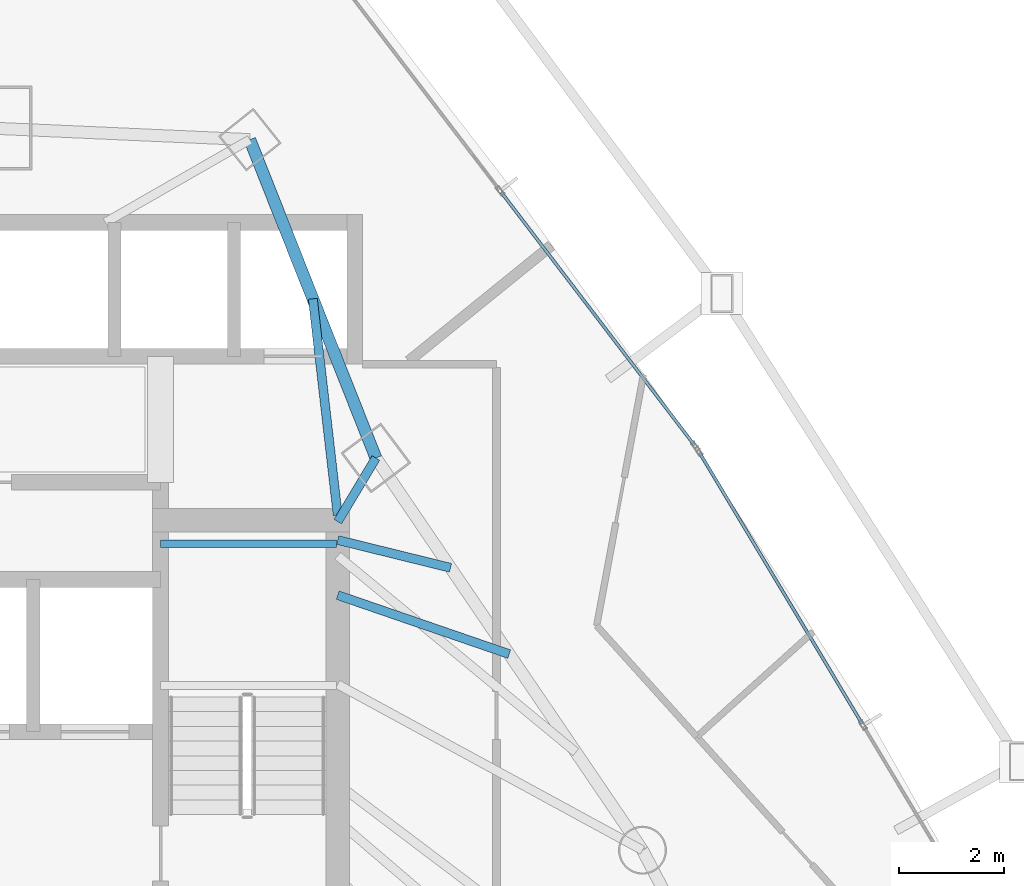
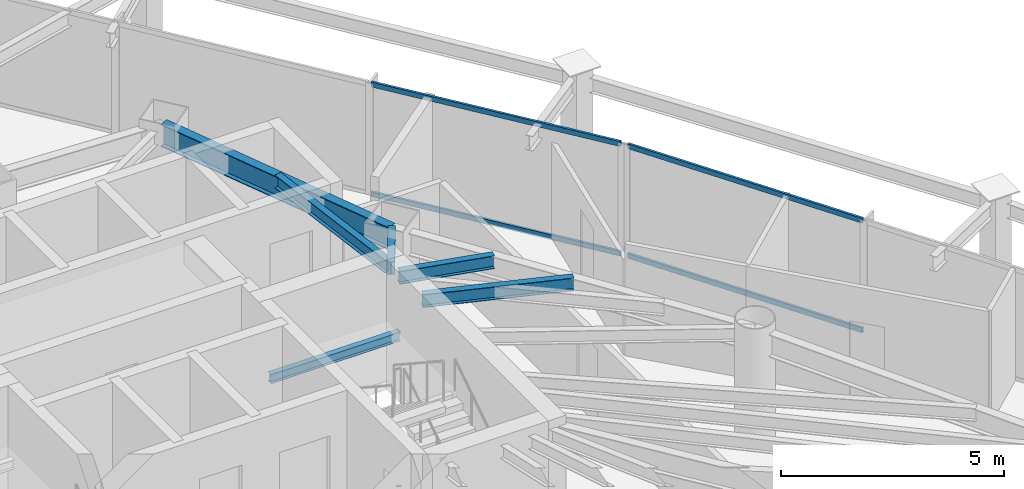
# One storey, part 25 of 34: 6 beams, 4 members, 2 elements without a shape of their own.
"""IFC4 building model written with IfcOpenShell, lengths in metres."""

from ifc_helpers import new_model, si_unit, direction, frame, origin, origin_2d, place, context, subcontext, project, spatial, hollow_rectangle, i_section, extrude, material, layer, layer_set, material_profile, profile_set, type_object, element, aggregate, save


model = new_model("IFC4")

# Units and contexts
model_context = context("Model", 3, precision=1e-05, world=origin(), true_north=direction((0.0, 1.0)))
body_context = subcontext(model_context, "Body", "Model", "MODEL_VIEW")
ifc_project = project(units=[si_unit("LENGTHUNIT", "METRE"), si_unit("AREAUNIT", "SQUARE_METRE"), si_unit("VOLUMEUNIT", "CUBIC_METRE"), si_unit("PLANEANGLEUNIT", "RADIAN"), si_unit("MASSUNIT", "GRAM", prefix="KILO")], contexts=[model_context])

# Site, building, storey
site_placement = place(None, origin())
site = spatial("IfcSite", under=ifc_project, at=site_placement, CompositionType="ELEMENT")
building_placement = place(site_placement, origin())
building = spatial("IfcBuilding", under=site, at=building_placement, Name="Orvanel Arch Residences", CompositionType="ELEMENT")
storey_placement = place(building_placement, frame((0.0, 0.0, 80.75)))
storey = spatial("IfcBuildingStorey", under=building, at=storey_placement, Name="L22", CompositionType="ELEMENT", Elevation=80.75)

# Beams
ifc_material_1 = material(Name="Structural steel AS/NZS 3679.1 Grade 300 (300 MPa)", Category="steel")
ifc_material_profile_1 = material_profile(ifc_material_1, i_section(OverallWidth=0.14599609375, OverallDepth=0.251953125, WebThickness=0.006103515625, FlangeThickness=0.008544921875, at=origin_2d()), Name="250UB31.4")
ifc_profile_set_1 = profile_set([ifc_material_profile_1], Name="Structural steel AS/NZS 3679.1 Grade 300 (300 MPa)")
beam_type_1 = type_object("IfcBeamType", Name="BJ-250UB", PredefinedType="JOIST", material=ifc_profile_set_1)
beam_1_placement = place(storey_placement, frame((36.25, 33.47998046875, 1.323974609375), z_axis=(1.0, 0.0, 0.0), x_axis=(0.0, 1.0, 0.0)))
element("IfcBeam", 1, at=beam_1_placement, inside=storey, type_object=beam_type_1, Name="L22 ST-2 Half-Landing Support Beam 1.2", PredefinedType="JOIST", context=body_context, shape_type="SweptSolid", body=[
    extrude(i_section(OverallWidth=0.14599609375, OverallDepth=0.251953125, WebThickness=0.006103515625, FlangeThickness=0.008544921875, at=origin_2d()), origin(), (0.0, 0.0, 1.0), 3.35009765625),
])
ifc_material_profile_2 = material_profile(ifc_material_1, i_section(OverallWidth=0.1708984375, OverallDepth=0.35595703125, WebThickness=0.00732421875, FlangeThickness=0.011474609375, at=origin_2d()), Name="360UB50.7")
ifc_profile_set_2 = profile_set([ifc_material_profile_2], Name="Structural steel AS/NZS 3679.1 Grade 300 (300 MPa)")
beam_type_2 = type_object("IfcBeamType", Name="BJ-360UB", PredefinedType="JOIST", material=ifc_profile_set_2)
beam_2_placement = place(storey_placement, frame((39.625, 33.89990234375, 2.882080078125), z_axis=(0.514064138778, 0.857751748015, 0.0), x_axis=(-0.857751748015, 0.514064138778, 0.0)))
element("IfcBeam", 2, at=beam_2_placement, inside=storey, type_object=beam_type_2, Name="L22 NNE Wing Floor Joist", PredefinedType="JOIST", context=body_context, shape_type="SweptSolid", body=[
    extrude(i_section(OverallWidth=0.1708984375, OverallDepth=0.35595703125, WebThickness=0.00732421875, FlangeThickness=0.011474609375, at=origin_2d()), origin(), (0.0, 0.0, 1.0), 1.414306640625),
])
beam_3_placement = place(storey_placement, frame((39.625, 34.02001953125, 2.882080078125), z_axis=(-0.114186670431, 0.993459311847, 0.0), x_axis=(-0.993459311847, -0.114186670431, 0.0)))
element("IfcBeam", 3, at=beam_3_placement, inside=storey, type_object=beam_type_2, Name="L22 NNE2 Wing Floor Joist", PredefinedType="JOIST", context=body_context, shape_type="SweptSolid", body=[
    extrude(i_section(OverallWidth=0.1708984375, OverallDepth=0.35595703125, WebThickness=0.00732421875, FlangeThickness=0.011474609375, at=origin_2d()), origin(), (0.0, 0.0, 1.0), 4.152099609375),
])
beam_4_placement = place(storey_placement, frame((39.625, 32.5, 2.882080078125), z_axis=(0.945658073701, -0.325162740247, 0.0), x_axis=(0.325162740247, 0.945658073701, 0.0)))
element("IfcBeam", 4, at=beam_4_placement, inside=storey, type_object=beam_type_2, Name="L22 ENE Wing Floor Joist", PredefinedType="JOIST", context=body_context, shape_type="SweptSolid", body=[
    extrude(i_section(OverallWidth=0.1708984375, OverallDepth=0.35595703125, WebThickness=0.00732421875, FlangeThickness=0.011474609375, at=origin_2d()), origin(), (0.0, 0.0, 1.0), 3.453857421875),
])
beam_5_placement = place(storey_placement, frame((39.625, 33.550048828125, 2.882080078125), z_axis=(0.971005818547, -0.239055851942, 0.0), x_axis=(0.239055851942, 0.971005818547, 0.0)))
element("IfcBeam", 5, at=beam_5_placement, inside=storey, type_object=beam_type_2, Name="L22 JADD4 Wing Floor Joist", PredefinedType="JOIST", context=body_context, shape_type="SweptSolid", body=[
    extrude(i_section(OverallWidth=0.1708984375, OverallDepth=0.35595703125, WebThickness=0.00732421875, FlangeThickness=0.011474609375, at=origin_2d()), origin(), (0.0, 0.0, 1.0), 2.213134765625),
])
ifc_material_profile_3 = material_profile(ifc_material_1, i_section(OverallWidth=0.22900390625, OverallDepth=0.612060546875, WebThickness=0.011962890625, FlangeThickness=0.01953125, at=origin_2d()), Name="610UB125")
ifc_profile_set_3 = profile_set([ifc_material_profile_3], Name="Structural steel AS/NZS 3679.1 Grade 300 (300 MPa)")
beam_type_3 = type_object("IfcBeamType", Name="SP-610UB", PredefinedType="SPANDREL", material=ifc_profile_set_3)
beam_6_placement = place(storey_placement, frame((40.35205078125, 35.113037109375, 2.75390625), z_axis=(-0.368233143579, 0.929733484376, 0.0), x_axis=(-0.929733484376, -0.368233143579, 0.0)))
element("IfcBeam", 6, at=beam_6_placement, inside=storey, type_object=beam_type_3, Name="L22 Perimeter Spandrel Beam 15", PredefinedType="SPANDREL", context=body_context, shape_type="SweptSolid", body=[
    extrude(i_section(OverallWidth=0.22900390625, OverallDepth=0.612060546875, WebThickness=0.011962890625, FlangeThickness=0.01953125, at=origin_2d()), origin(), (0.0, 0.0, 1.0), 6.523193359375),
])

# Curtain wall, members
ifc_material_2 = material(Name="Bronze-anodised aluminium AA6063-T6", Category="aluminium")
ifc_layer = layer(ifc_material_2, 0.179931640625)
ifc_layer_set = layer_set([ifc_layer], Name="Bronze-anodised aluminium AA6063-T6")
curtain_wall_type = type_object("IfcCurtainWallType", Name="CW2-LOW-SYS", PredefinedType="NOTDEFINED", material=ifc_layer_set)
curtain_wall_1_placement = place(storey_placement, origin())
curtain_wall_1 = element("IfcCurtainWall", 7, at=curtain_wall_1_placement, inside=storey, type_object=curtain_wall_type, Name="L22 CW2-LOW-SYS Unitised Curtain Wall", PredefinedType="NOTDEFINED")
ifc_material_profile_4 = material_profile(ifc_material_2, hollow_rectangle(XDim=0.06005859375, YDim=0.135009765625, WallThickness=0.00390625, at=origin_2d()), Name="ALU135x60x4")
ifc_profile_set_4 = profile_set([ifc_material_profile_4], Name="Bronze-anodised aluminium AA6063-T6")
member_type = type_object("IfcMemberType", Name="TRN-135x60", PredefinedType="USERDEFINED", material=ifc_profile_set_4)
member_1_placement = place(storey_placement, frame((49.614013671875, 30.051025390625, 0.030029296875), z_axis=(-0.514400245764, 0.857550224277, 0.0), x_axis=(-0.857550224277, -0.514400245764, 0.0)))
member_1 = element("IfcMember", 8, at=member_1_placement, type_object=member_type, Name="CW-S2 transom 2.1", ObjectType="TRANSOM", PredefinedType="USERDEFINED", context=body_context, shape_type="SweptSolid", body=[
    extrude(hollow_rectangle(XDim=0.06005859375, YDim=0.135009765625, WallThickness=0.00390625, at=origin_2d()), origin(), (0.0, 0.0, 1.0), 6.0146484375),
])
member_2_placement = place(storey_placement, frame((49.614013671875, 30.051025390625, 3.030029296875), z_axis=(-0.514400245764, 0.857550224277, 0.0), x_axis=(-0.857550224277, -0.514400245764, 0.0)))
member_2 = element("IfcMember", 9, at=member_2_placement, type_object=member_type, Name="CW-S2 transom 2.2", ObjectType="TRANSOM", PredefinedType="USERDEFINED", context=body_context, shape_type="SweptSolid", body=[
    extrude(hollow_rectangle(XDim=0.06005859375, YDim=0.135009765625, WallThickness=0.00390625, at=origin_2d()), origin(), (0.0, 0.0, 1.0), 6.0146484375),
])
aggregate(curtain_wall_1, [member_1, member_2])

curtain_wall_2_placement = place(storey_placement, origin())
curtain_wall_2 = element("IfcCurtainWall", 10, at=curtain_wall_2_placement, inside=storey, type_object=curtain_wall_type, Name="L22 CW2-LOW-SYS Unitised Curtain Wall", PredefinedType="NOTDEFINED")
member_3_placement = place(storey_placement, frame((46.41943359375, 35.357666015625, 0.030029296875), z_axis=(-0.606952007069, 0.794738485991, 0.0), x_axis=(-0.794738485991, -0.606952007069, 0.0)))
member_3 = element("IfcMember", 11, at=member_3_placement, type_object=member_type, Name="CW-S2 transom 1.1", ObjectType="TRANSOM", PredefinedType="USERDEFINED", context=body_context, shape_type="SweptSolid", body=[
    extrude(hollow_rectangle(XDim=0.06005859375, YDim=0.135009765625, WallThickness=0.00390625, at=origin_2d()), origin(), (0.0, 0.0, 1.0), 6.059814453125),
])
member_4_placement = place(storey_placement, frame((46.41943359375, 35.357666015625, 3.030029296875), z_axis=(-0.606952007069, 0.794738485991, 0.0), x_axis=(-0.794738485991, -0.606952007069, 0.0)))
member_4 = element("IfcMember", 12, at=member_4_placement, type_object=member_type, Name="CW-S2 transom 1.2", ObjectType="TRANSOM", PredefinedType="USERDEFINED", context=body_context, shape_type="SweptSolid", body=[
    extrude(hollow_rectangle(XDim=0.06005859375, YDim=0.135009765625, WallThickness=0.00390625, at=origin_2d()), origin(), (0.0, 0.0, 1.0), 6.059814453125),
])
aggregate(curtain_wall_2, [member_3, member_4])

save(model, "model.ifc")
